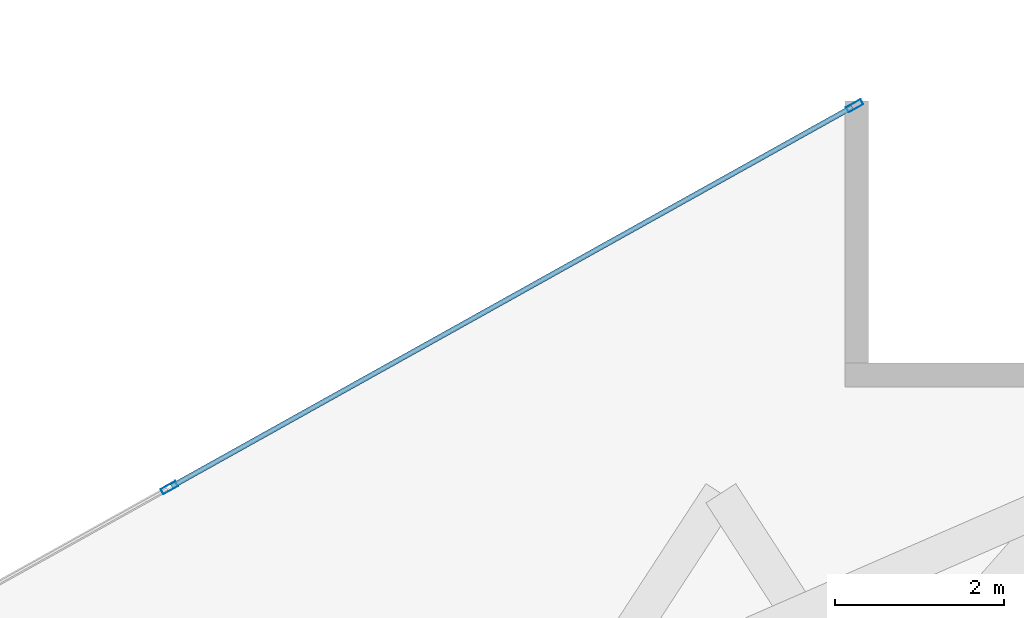
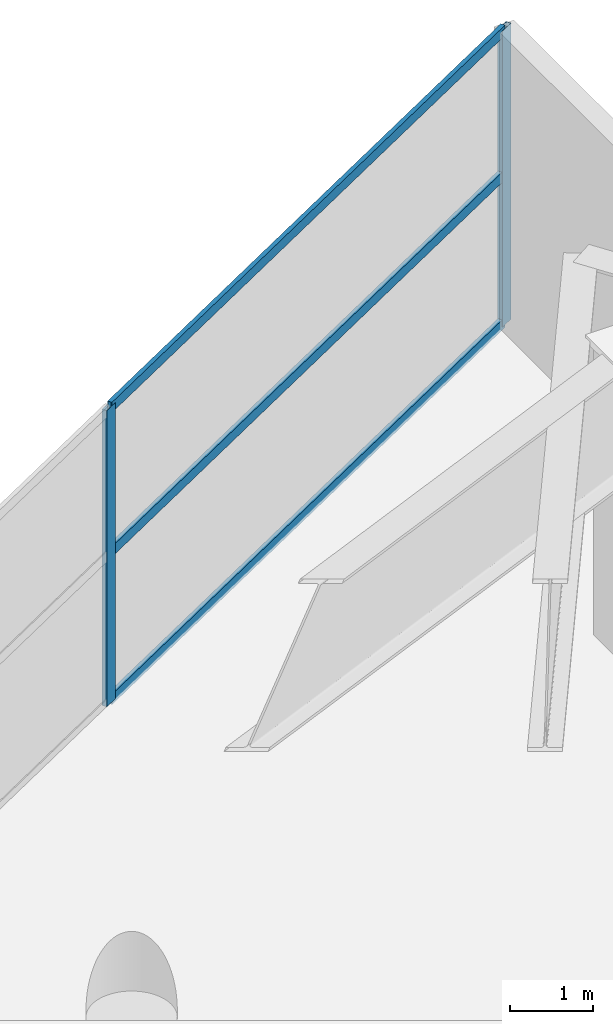
# One storey, part 8 of 17: 5 members, 1 element without a shape of its own.
"""IFC4 building model written with IfcOpenShell, lengths in metres."""

from ifc_helpers import new_model, si_unit, direction, frame, origin, origin_2d, place, context, subcontext, project, spatial, hollow_rectangle, extrude, material, layer, layer_set, material_profile, profile_set, type_object, element, aggregate, save


model = new_model("IFC4")

# Units and contexts
model_context = context("Model", 3, precision=1e-05, world=origin(), true_north=direction((0.0, 1.0)))
body_context = subcontext(model_context, "Body", "Model", "MODEL_VIEW")
ifc_project = project(units=[si_unit("LENGTHUNIT", "METRE"), si_unit("AREAUNIT", "SQUARE_METRE"), si_unit("VOLUMEUNIT", "CUBIC_METRE"), si_unit("PLANEANGLEUNIT", "RADIAN"), si_unit("MASSUNIT", "GRAM", prefix="KILO")], contexts=[model_context])

# Site, building, storey
site_placement = place(None, origin())
site = spatial("IfcSite", under=ifc_project, at=site_placement, CompositionType="ELEMENT")
building_placement = place(site_placement, origin())
building = spatial("IfcBuilding", under=site, at=building_placement, Name="Calvorn Quay Hotel", CompositionType="ELEMENT")
storey_placement = place(building_placement, frame((0.0, 0.0, 186.5)))
storey = spatial("IfcBuildingStorey", under=building, at=storey_placement, Name="L46", CompositionType="ELEMENT", Elevation=186.5)

# Curtain wall, members
ifc_material_1 = material(Name="Pale Anodised Aluminium and Low-E Glass", Category="aluminium")
ifc_layer = layer(ifc_material_1, 0.219970703125)
ifc_layer_set = layer_set([ifc_layer], Name="CW-SYS-Z2")
curtain_wall_type = type_object("IfcCurtainWallType", Name="CW-SYS-Z2", PredefinedType="NOTDEFINED", material=ifc_layer_set)
curtain_wall_placement = place(storey_placement, origin())
curtain_wall = element("IfcCurtainWall", 1, at=curtain_wall_placement, inside=storey, type_object=curtain_wall_type, Name="Inner Court Curtain Wall L46-NE1", PredefinedType="NOTDEFINED")
ifc_material_2 = material(Name="Pale Anodised Aluminium 6063-T6", Category="aluminium")
ifc_material_profile_1 = material_profile(ifc_material_2, hollow_rectangle(XDim=0.070068359375, YDim=0.199951171875, WallThickness=0.00390625, at=origin_2d()), Name="ALU-M200x70x4")
ifc_profile_set_1 = profile_set([ifc_material_profile_1], Name="Pale Anodised Aluminium 6063-T6")
member_type_1 = type_object("IfcMemberType", Name="CW-SYS-Z2-MUL", PredefinedType="MULLION", material=ifc_profile_set_1)
member_1_placement = place(storey_placement, frame((45.973876953125, 37.9853515625, 0.0), z_axis=(0.0, 0.0, 1.0), x_axis=(0.486858256224, -0.873480989116, 0.0)))
member_1 = element("IfcMember", 2, at=member_1_placement, type_object=member_type_1, Name="CW-L46-NE1 mullion 1", PredefinedType="MULLION", context=body_context, shape_type="SweptSolid", body=[
    extrude(hollow_rectangle(XDim=0.070068359375, YDim=0.199951171875, WallThickness=0.00390625, at=origin_2d()), origin(), (0.0, 0.0, 1.0), 4.35009765625),
])
member_2_placement = place(storey_placement, frame((37.86669921875, 33.466552734375, 0.0), z_axis=(0.0, 0.0, 1.0), x_axis=(0.486858256224, -0.873480989116, 0.0)))
member_2 = element("IfcMember", 3, at=member_2_placement, type_object=member_type_1, Name="CW-L46-NE1 mullion 2", PredefinedType="MULLION", context=body_context, shape_type="SweptSolid", body=[
    extrude(hollow_rectangle(XDim=0.070068359375, YDim=0.199951171875, WallThickness=0.00390625, at=origin_2d()), origin(), (0.0, 0.0, 1.0), 4.35009765625),
])
ifc_material_3 = material(Name="Pale Anodised Aluminium 6063-T6", Category="aluminium")
ifc_material_profile_2 = material_profile(ifc_material_3, hollow_rectangle(XDim=0.06005859375, YDim=0.14990234375, WallThickness=0.00341796875, at=origin_2d()), Name="ALU-T150x60x3.5")
ifc_profile_set_2 = profile_set([ifc_material_profile_2], Name="Pale Anodised Aluminium 6063-T6")
member_type_2 = type_object("IfcMemberType", Name="CW-SYS-Z2-TRN", PredefinedType="USERDEFINED", material=ifc_profile_set_2)
member_3_placement = place(storey_placement, frame((45.947509765625, 37.970703125, 0.030029296875), z_axis=(-0.87348080454, -0.486858587375, 0.0), x_axis=(0.486858587375, -0.87348080454, 0.0)))
member_3 = element("IfcMember", 4, at=member_3_placement, type_object=member_type_2, Name="CW-L46-NE1 transom 1.1", ObjectType="TRANSOM", PredefinedType="USERDEFINED", context=body_context, shape_type="SweptSolid", body=[
    extrude(hollow_rectangle(XDim=0.06005859375, YDim=0.14990234375, WallThickness=0.00341796875, at=origin_2d()), origin(), (0.0, 0.0, 1.0), 9.221435546875),
])
member_4_placement = place(storey_placement, frame((45.947509765625, 37.970703125, 2.199951171875), z_axis=(-0.87348080454, -0.486858587375, 0.0), x_axis=(0.486858587375, -0.87348080454, 0.0)))
member_4 = element("IfcMember", 5, at=member_4_placement, type_object=member_type_2, Name="CW-L46-NE1 transom 1.2", ObjectType="TRANSOM", PredefinedType="USERDEFINED", context=body_context, shape_type="SweptSolid", body=[
    extrude(hollow_rectangle(XDim=0.06005859375, YDim=0.14990234375, WallThickness=0.00341796875, at=origin_2d()), origin(), (0.0, 0.0, 1.0), 9.221435546875),
])
member_5_placement = place(storey_placement, frame((45.947509765625, 37.970703125, 4.320068359375), z_axis=(-0.87348080454, -0.486858587375, 0.0), x_axis=(0.486858587375, -0.87348080454, 0.0)))
member_5 = element("IfcMember", 6, at=member_5_placement, type_object=member_type_2, Name="CW-L46-NE1 transom 1.3", ObjectType="TRANSOM", PredefinedType="USERDEFINED", context=body_context, shape_type="SweptSolid", body=[
    extrude(hollow_rectangle(XDim=0.06005859375, YDim=0.14990234375, WallThickness=0.00341796875, at=origin_2d()), origin(), (0.0, 0.0, 1.0), 9.221435546875),
])
aggregate(curtain_wall, [member_1, member_2, member_3, member_4, member_5])

save(model, "model.ifc")
